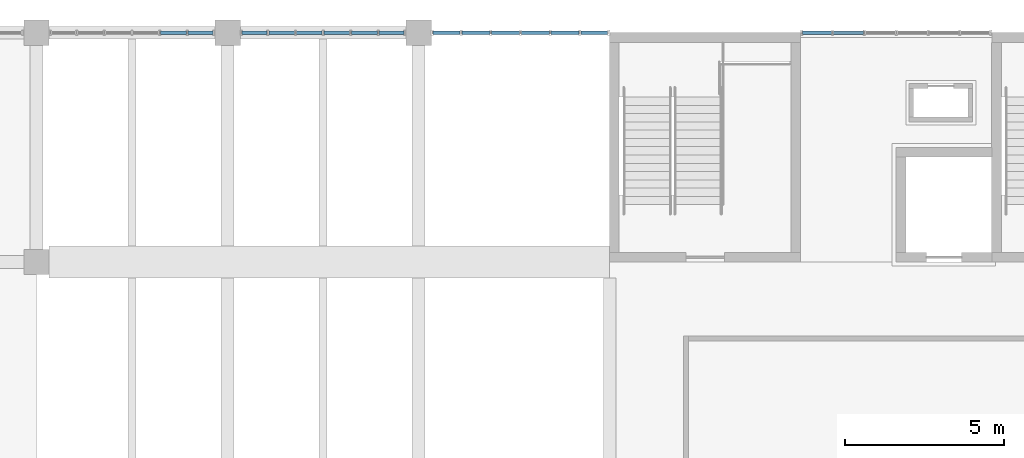
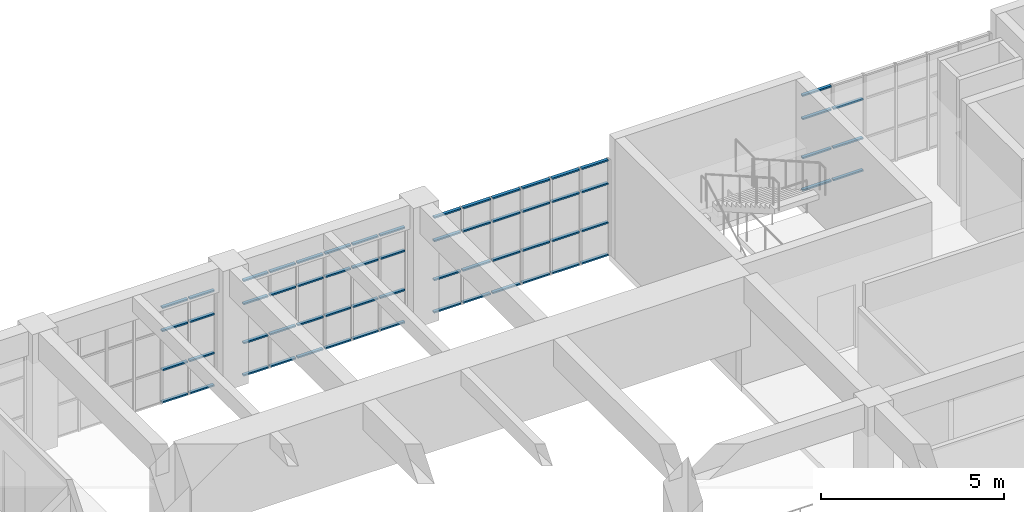
# One storey, part 24 of 47: 63 members, 4 elements without a shape of their own.
"""IFC4 building model written with IfcOpenShell, lengths in metres."""

from ifc_helpers import new_model, si_unit, direction, frame, origin, origin_2d, place, context, subcontext, project, spatial, hollow_rectangle, extrude, material, material_profile, profile_set, type_object, element, aggregate, save


model = new_model("IFC4")

# Units and contexts
model_context = context("Model", 3, precision=1e-05, world=origin(), true_north=direction((0.0, 1.0)))
body_context = subcontext(model_context, "Body", "Model", "MODEL_VIEW")
ifc_project = project(units=[si_unit("LENGTHUNIT", "METRE"), si_unit("AREAUNIT", "SQUARE_METRE"), si_unit("VOLUMEUNIT", "CUBIC_METRE"), si_unit("PLANEANGLEUNIT", "RADIAN"), si_unit("MASSUNIT", "GRAM", prefix="KILO")], contexts=[model_context])

# Site, building, storey
site_placement = place(None, origin())
site = spatial("IfcSite", under=ifc_project, at=site_placement, CompositionType="ELEMENT")
building_placement = place(site_placement, origin())
building = spatial("IfcBuilding", under=site, at=building_placement, Name="Laocheng Heights Fire and Rescue Headquarters", CompositionType="ELEMENT")
storey_placement = place(building_placement, frame((0.0, 0.0, 16.800048828125)))
storey = spatial("IfcBuildingStorey", under=building, at=storey_placement, Name="L04", CompositionType="ELEMENT", Elevation=16.800048828125)

# Curtain wall, members
ifc_material_1 = material(Name="Dark anodised aluminium unitised curtain wall, low-e double glazing", Category="aluminium")
curtain_wall_type_1 = type_object("IfcCurtainWallType", Name="CW 5200 x 3200 HQ CONTROL ROOM FACE", PredefinedType="NOTDEFINED", material=ifc_material_1)
curtain_wall_1_placement = place(storey_placement, origin())
curtain_wall_1 = element("IfcCurtainWall", 1, at=curtain_wall_1_placement, inside=storey, type_object=curtain_wall_type_1, Name="X24-X HQ NORTH L04", PredefinedType="NOTDEFINED")
ifc_material_2 = material(Name="Dark anodised aluminium 6063-T5 extrusion", Category="aluminium")
ifc_material_profile = material_profile(ifc_material_2, hollow_rectangle(XDim=0.10009765625, YDim=0.050048828125, WallThickness=0.0029296875, at=origin_2d()), Name="AL TRANSOM 100x50x3 HQ CONTROL ROOM FACE")
ifc_profile_set = profile_set([ifc_material_profile], Name="Dark anodised aluminium 6063-T5 extrusion")
member_type = type_object("IfcMemberType", Name="AL TRANSOM 100x50x3 HQ CONTROL ROOM FACE", PredefinedType="USERDEFINED", material=ifc_profile_set)
member_1_placement = place(storey_placement, frame((51.896728515625, 72.0, 0.02490234375), z_axis=(1.0, 0.0, 0.0), x_axis=(0.0, 1.0, 0.0)))
member_1 = element("IfcMember", 2, at=member_1_placement, type_object=member_type, Name="X24-X transom 5.1", ObjectType="TRANSOM", PredefinedType="USERDEFINED", context=body_context, shape_type="SweptSolid", body=[
    extrude(hollow_rectangle(XDim=0.10009765625, YDim=0.050048828125, WallThickness=0.0029296875, at=origin_2d()), origin(), (0.0, 0.0, 1.0), 0.806640625),
])
member_2_placement = place(storey_placement, frame((51.896728515625, 72.0, 1.099853515625), z_axis=(1.0, 0.0, 0.0), x_axis=(0.0, 1.0, 0.0)))
member_2 = element("IfcMember", 3, at=member_2_placement, type_object=member_type, Name="X24-X transom 5.2", ObjectType="TRANSOM", PredefinedType="USERDEFINED", context=body_context, shape_type="SweptSolid", body=[
    extrude(hollow_rectangle(XDim=0.10009765625, YDim=0.050048828125, WallThickness=0.0029296875, at=origin_2d()), origin(), (0.0, 0.0, 1.0), 0.806640625),
])
member_3_placement = place(storey_placement, frame((51.896728515625, 72.0, 2.39990234375), z_axis=(1.0, 0.0, 0.0), x_axis=(0.0, 1.0, 0.0)))
member_3 = element("IfcMember", 4, at=member_3_placement, type_object=member_type, Name="X24-X transom 5.3", ObjectType="TRANSOM", PredefinedType="USERDEFINED", context=body_context, shape_type="SweptSolid", body=[
    extrude(hollow_rectangle(XDim=0.10009765625, YDim=0.050048828125, WallThickness=0.0029296875, at=origin_2d()), origin(), (0.0, 0.0, 1.0), 0.806640625),
])
member_4_placement = place(storey_placement, frame((51.896728515625, 72.0, 3.175048828125), z_axis=(1.0, 0.0, 0.0), x_axis=(0.0, 1.0, 0.0)))
member_4 = element("IfcMember", 5, at=member_4_placement, type_object=member_type, Name="X24-X transom 5.4", ObjectType="TRANSOM", PredefinedType="USERDEFINED", context=body_context, shape_type="SweptSolid", body=[
    extrude(hollow_rectangle(XDim=0.10009765625, YDim=0.050048828125, WallThickness=0.0029296875, at=origin_2d()), origin(), (0.0, 0.0, 1.0), 0.806640625),
])
member_5_placement = place(storey_placement, frame((52.763427734375, 72.0, 0.02490234375), z_axis=(1.0, 0.0, 0.0), x_axis=(0.0, 1.0, 0.0)))
member_5 = element("IfcMember", 6, at=member_5_placement, type_object=member_type, Name="X24-X transom 6.1", ObjectType="TRANSOM", PredefinedType="USERDEFINED", context=body_context, shape_type="SweptSolid", body=[
    extrude(hollow_rectangle(XDim=0.10009765625, YDim=0.050048828125, WallThickness=0.0029296875, at=origin_2d()), origin(), (0.0, 0.0, 1.0), 0.776611328125),
])
member_6_placement = place(storey_placement, frame((52.763427734375, 72.0, 1.099853515625), z_axis=(1.0, 0.0, 0.0), x_axis=(0.0, 1.0, 0.0)))
member_6 = element("IfcMember", 7, at=member_6_placement, type_object=member_type, Name="X24-X transom 6.2", ObjectType="TRANSOM", PredefinedType="USERDEFINED", context=body_context, shape_type="SweptSolid", body=[
    extrude(hollow_rectangle(XDim=0.10009765625, YDim=0.050048828125, WallThickness=0.0029296875, at=origin_2d()), origin(), (0.0, 0.0, 1.0), 0.776611328125),
])
member_7_placement = place(storey_placement, frame((52.763427734375, 72.0, 2.39990234375), z_axis=(1.0, 0.0, 0.0), x_axis=(0.0, 1.0, 0.0)))
member_7 = element("IfcMember", 8, at=member_7_placement, type_object=member_type, Name="X24-X transom 6.3", ObjectType="TRANSOM", PredefinedType="USERDEFINED", context=body_context, shape_type="SweptSolid", body=[
    extrude(hollow_rectangle(XDim=0.10009765625, YDim=0.050048828125, WallThickness=0.0029296875, at=origin_2d()), origin(), (0.0, 0.0, 1.0), 0.776611328125),
])
member_8_placement = place(storey_placement, frame((52.763427734375, 72.0, 3.175048828125), z_axis=(1.0, 0.0, 0.0), x_axis=(0.0, 1.0, 0.0)))
member_8 = element("IfcMember", 9, at=member_8_placement, type_object=member_type, Name="X24-X transom 6.4", ObjectType="TRANSOM", PredefinedType="USERDEFINED", context=body_context, shape_type="SweptSolid", body=[
    extrude(hollow_rectangle(XDim=0.10009765625, YDim=0.050048828125, WallThickness=0.0029296875, at=origin_2d()), origin(), (0.0, 0.0, 1.0), 0.776611328125),
])
aggregate(curtain_wall_1, [member_1, member_2, member_3, member_4, member_5, member_6, member_7, member_8])

curtain_wall_2_placement = place(storey_placement, origin())
curtain_wall_2 = element("IfcCurtainWall", 10, at=curtain_wall_2_placement, inside=storey, type_object=curtain_wall_type_1, Name="X24-X HQ NORTH L04", PredefinedType="NOTDEFINED")
member_9_placement = place(storey_placement, frame((54.4599609375, 72.0, 0.02490234375), z_axis=(1.0, 0.0, 0.0), x_axis=(0.0, 1.0, 0.0)))
member_9 = element("IfcMember", 11, at=member_9_placement, type_object=member_type, Name="X24-X transom 1.1", ObjectType="TRANSOM", PredefinedType="USERDEFINED", context=body_context, shape_type="SweptSolid", body=[
    extrude(hollow_rectangle(XDim=0.10009765625, YDim=0.050048828125, WallThickness=0.0029296875, at=origin_2d()), origin(), (0.0, 0.0, 1.0), 0.776611328125),
])
member_10_placement = place(storey_placement, frame((54.4599609375, 72.0, 1.099853515625), z_axis=(1.0, 0.0, 0.0), x_axis=(0.0, 1.0, 0.0)))
member_10 = element("IfcMember", 12, at=member_10_placement, type_object=member_type, Name="X24-X transom 1.2", ObjectType="TRANSOM", PredefinedType="USERDEFINED", context=body_context, shape_type="SweptSolid", body=[
    extrude(hollow_rectangle(XDim=0.10009765625, YDim=0.050048828125, WallThickness=0.0029296875, at=origin_2d()), origin(), (0.0, 0.0, 1.0), 0.776611328125),
])
member_11_placement = place(storey_placement, frame((54.4599609375, 72.0, 2.39990234375), z_axis=(1.0, 0.0, 0.0), x_axis=(0.0, 1.0, 0.0)))
member_11 = element("IfcMember", 13, at=member_11_placement, type_object=member_type, Name="X24-X transom 1.3", ObjectType="TRANSOM", PredefinedType="USERDEFINED", context=body_context, shape_type="SweptSolid", body=[
    extrude(hollow_rectangle(XDim=0.10009765625, YDim=0.050048828125, WallThickness=0.0029296875, at=origin_2d()), origin(), (0.0, 0.0, 1.0), 0.776611328125),
])
member_12_placement = place(storey_placement, frame((54.4599609375, 72.0, 3.175048828125), z_axis=(1.0, 0.0, 0.0), x_axis=(0.0, 1.0, 0.0)))
member_12 = element("IfcMember", 14, at=member_12_placement, type_object=member_type, Name="X24-X transom 1.4", ObjectType="TRANSOM", PredefinedType="USERDEFINED", context=body_context, shape_type="SweptSolid", body=[
    extrude(hollow_rectangle(XDim=0.10009765625, YDim=0.050048828125, WallThickness=0.0029296875, at=origin_2d()), origin(), (0.0, 0.0, 1.0), 0.776611328125),
])
member_13_placement = place(storey_placement, frame((55.296630859375, 72.0, 0.02490234375), z_axis=(1.0, 0.0, 0.0), x_axis=(0.0, 1.0, 0.0)))
member_13 = element("IfcMember", 15, at=member_13_placement, type_object=member_type, Name="X24-X transom 2.1", ObjectType="TRANSOM", PredefinedType="USERDEFINED", context=body_context, shape_type="SweptSolid", body=[
    extrude(hollow_rectangle(XDim=0.10009765625, YDim=0.050048828125, WallThickness=0.0029296875, at=origin_2d()), origin(), (0.0, 0.0, 1.0), 0.806640625),
])
member_14_placement = place(storey_placement, frame((55.296630859375, 72.0, 1.099853515625), z_axis=(1.0, 0.0, 0.0), x_axis=(0.0, 1.0, 0.0)))
member_14 = element("IfcMember", 16, at=member_14_placement, type_object=member_type, Name="X24-X transom 2.2", ObjectType="TRANSOM", PredefinedType="USERDEFINED", context=body_context, shape_type="SweptSolid", body=[
    extrude(hollow_rectangle(XDim=0.10009765625, YDim=0.050048828125, WallThickness=0.0029296875, at=origin_2d()), origin(), (0.0, 0.0, 1.0), 0.806640625),
])
member_15_placement = place(storey_placement, frame((55.296630859375, 72.0, 2.39990234375), z_axis=(1.0, 0.0, 0.0), x_axis=(0.0, 1.0, 0.0)))
member_15 = element("IfcMember", 17, at=member_15_placement, type_object=member_type, Name="X24-X transom 2.3", ObjectType="TRANSOM", PredefinedType="USERDEFINED", context=body_context, shape_type="SweptSolid", body=[
    extrude(hollow_rectangle(XDim=0.10009765625, YDim=0.050048828125, WallThickness=0.0029296875, at=origin_2d()), origin(), (0.0, 0.0, 1.0), 0.806640625),
])
member_16_placement = place(storey_placement, frame((55.296630859375, 72.0, 3.175048828125), z_axis=(1.0, 0.0, 0.0), x_axis=(0.0, 1.0, 0.0)))
member_16 = element("IfcMember", 18, at=member_16_placement, type_object=member_type, Name="X24-X transom 2.4", ObjectType="TRANSOM", PredefinedType="USERDEFINED", context=body_context, shape_type="SweptSolid", body=[
    extrude(hollow_rectangle(XDim=0.10009765625, YDim=0.050048828125, WallThickness=0.0029296875, at=origin_2d()), origin(), (0.0, 0.0, 1.0), 0.806640625),
])
member_17_placement = place(storey_placement, frame((56.163330078125, 72.0, 0.02490234375), z_axis=(1.0, 0.0, 0.0), x_axis=(0.0, 1.0, 0.0)))
member_17 = element("IfcMember", 19, at=member_17_placement, type_object=member_type, Name="X24-X transom 3.1", ObjectType="TRANSOM", PredefinedType="USERDEFINED", context=body_context, shape_type="SweptSolid", body=[
    extrude(hollow_rectangle(XDim=0.10009765625, YDim=0.050048828125, WallThickness=0.0029296875, at=origin_2d()), origin(), (0.0, 0.0, 1.0), 0.806640625),
])
member_18_placement = place(storey_placement, frame((56.163330078125, 72.0, 1.099853515625), z_axis=(1.0, 0.0, 0.0), x_axis=(0.0, 1.0, 0.0)))
member_18 = element("IfcMember", 20, at=member_18_placement, type_object=member_type, Name="X24-X transom 3.2", ObjectType="TRANSOM", PredefinedType="USERDEFINED", context=body_context, shape_type="SweptSolid", body=[
    extrude(hollow_rectangle(XDim=0.10009765625, YDim=0.050048828125, WallThickness=0.0029296875, at=origin_2d()), origin(), (0.0, 0.0, 1.0), 0.806640625),
])
member_19_placement = place(storey_placement, frame((56.163330078125, 72.0, 2.39990234375), z_axis=(1.0, 0.0, 0.0), x_axis=(0.0, 1.0, 0.0)))
member_19 = element("IfcMember", 21, at=member_19_placement, type_object=member_type, Name="X24-X transom 3.3", ObjectType="TRANSOM", PredefinedType="USERDEFINED", context=body_context, shape_type="SweptSolid", body=[
    extrude(hollow_rectangle(XDim=0.10009765625, YDim=0.050048828125, WallThickness=0.0029296875, at=origin_2d()), origin(), (0.0, 0.0, 1.0), 0.806640625),
])
member_20_placement = place(storey_placement, frame((56.163330078125, 72.0, 3.175048828125), z_axis=(1.0, 0.0, 0.0), x_axis=(0.0, 1.0, 0.0)))
member_20 = element("IfcMember", 22, at=member_20_placement, type_object=member_type, Name="X24-X transom 3.4", ObjectType="TRANSOM", PredefinedType="USERDEFINED", context=body_context, shape_type="SweptSolid", body=[
    extrude(hollow_rectangle(XDim=0.10009765625, YDim=0.050048828125, WallThickness=0.0029296875, at=origin_2d()), origin(), (0.0, 0.0, 1.0), 0.806640625),
])
member_21_placement = place(storey_placement, frame((57.030029296875, 72.0, 0.02490234375), z_axis=(1.0, 0.0, 0.0), x_axis=(0.0, 1.0, 0.0)))
member_21 = element("IfcMember", 23, at=member_21_placement, type_object=member_type, Name="X24-X transom 4.1", ObjectType="TRANSOM", PredefinedType="USERDEFINED", context=body_context, shape_type="SweptSolid", body=[
    extrude(hollow_rectangle(XDim=0.10009765625, YDim=0.050048828125, WallThickness=0.0029296875, at=origin_2d()), origin(), (0.0, 0.0, 1.0), 0.806640625),
])
member_22_placement = place(storey_placement, frame((57.030029296875, 72.0, 1.099853515625), z_axis=(1.0, 0.0, 0.0), x_axis=(0.0, 1.0, 0.0)))
member_22 = element("IfcMember", 24, at=member_22_placement, type_object=member_type, Name="X24-X transom 4.2", ObjectType="TRANSOM", PredefinedType="USERDEFINED", context=body_context, shape_type="SweptSolid", body=[
    extrude(hollow_rectangle(XDim=0.10009765625, YDim=0.050048828125, WallThickness=0.0029296875, at=origin_2d()), origin(), (0.0, 0.0, 1.0), 0.806640625),
])
member_23_placement = place(storey_placement, frame((57.030029296875, 72.0, 2.39990234375), z_axis=(1.0, 0.0, 0.0), x_axis=(0.0, 1.0, 0.0)))
member_23 = element("IfcMember", 25, at=member_23_placement, type_object=member_type, Name="X24-X transom 4.3", ObjectType="TRANSOM", PredefinedType="USERDEFINED", context=body_context, shape_type="SweptSolid", body=[
    extrude(hollow_rectangle(XDim=0.10009765625, YDim=0.050048828125, WallThickness=0.0029296875, at=origin_2d()), origin(), (0.0, 0.0, 1.0), 0.806640625),
])
member_24_placement = place(storey_placement, frame((57.030029296875, 72.0, 3.175048828125), z_axis=(1.0, 0.0, 0.0), x_axis=(0.0, 1.0, 0.0)))
member_24 = element("IfcMember", 26, at=member_24_placement, type_object=member_type, Name="X24-X transom 4.4", ObjectType="TRANSOM", PredefinedType="USERDEFINED", context=body_context, shape_type="SweptSolid", body=[
    extrude(hollow_rectangle(XDim=0.10009765625, YDim=0.050048828125, WallThickness=0.0029296875, at=origin_2d()), origin(), (0.0, 0.0, 1.0), 0.806640625),
])
member_25_placement = place(storey_placement, frame((57.896728515625, 72.0, 0.02490234375), z_axis=(1.0, 0.0, 0.0), x_axis=(0.0, 1.0, 0.0)))
member_25 = element("IfcMember", 27, at=member_25_placement, type_object=member_type, Name="X24-X transom 5.1", ObjectType="TRANSOM", PredefinedType="USERDEFINED", context=body_context, shape_type="SweptSolid", body=[
    extrude(hollow_rectangle(XDim=0.10009765625, YDim=0.050048828125, WallThickness=0.0029296875, at=origin_2d()), origin(), (0.0, 0.0, 1.0), 0.806640625),
])
member_26_placement = place(storey_placement, frame((57.896728515625, 72.0, 1.099853515625), z_axis=(1.0, 0.0, 0.0), x_axis=(0.0, 1.0, 0.0)))
member_26 = element("IfcMember", 28, at=member_26_placement, type_object=member_type, Name="X24-X transom 5.2", ObjectType="TRANSOM", PredefinedType="USERDEFINED", context=body_context, shape_type="SweptSolid", body=[
    extrude(hollow_rectangle(XDim=0.10009765625, YDim=0.050048828125, WallThickness=0.0029296875, at=origin_2d()), origin(), (0.0, 0.0, 1.0), 0.806640625),
])
member_27_placement = place(storey_placement, frame((57.896728515625, 72.0, 2.39990234375), z_axis=(1.0, 0.0, 0.0), x_axis=(0.0, 1.0, 0.0)))
member_27 = element("IfcMember", 29, at=member_27_placement, type_object=member_type, Name="X24-X transom 5.3", ObjectType="TRANSOM", PredefinedType="USERDEFINED", context=body_context, shape_type="SweptSolid", body=[
    extrude(hollow_rectangle(XDim=0.10009765625, YDim=0.050048828125, WallThickness=0.0029296875, at=origin_2d()), origin(), (0.0, 0.0, 1.0), 0.806640625),
])
member_28_placement = place(storey_placement, frame((57.896728515625, 72.0, 3.175048828125), z_axis=(1.0, 0.0, 0.0), x_axis=(0.0, 1.0, 0.0)))
member_28 = element("IfcMember", 30, at=member_28_placement, type_object=member_type, Name="X24-X transom 5.4", ObjectType="TRANSOM", PredefinedType="USERDEFINED", context=body_context, shape_type="SweptSolid", body=[
    extrude(hollow_rectangle(XDim=0.10009765625, YDim=0.050048828125, WallThickness=0.0029296875, at=origin_2d()), origin(), (0.0, 0.0, 1.0), 0.806640625),
])
member_29_placement = place(storey_placement, frame((58.763427734375, 72.0, 0.02490234375), z_axis=(1.0, 0.0, 0.0), x_axis=(0.0, 1.0, 0.0)))
member_29 = element("IfcMember", 31, at=member_29_placement, type_object=member_type, Name="X24-X transom 6.1", ObjectType="TRANSOM", PredefinedType="USERDEFINED", context=body_context, shape_type="SweptSolid", body=[
    extrude(hollow_rectangle(XDim=0.10009765625, YDim=0.050048828125, WallThickness=0.0029296875, at=origin_2d()), origin(), (0.0, 0.0, 1.0), 0.776611328125),
])
member_30_placement = place(storey_placement, frame((58.763427734375, 72.0, 1.099853515625), z_axis=(1.0, 0.0, 0.0), x_axis=(0.0, 1.0, 0.0)))
member_30 = element("IfcMember", 32, at=member_30_placement, type_object=member_type, Name="X24-X transom 6.2", ObjectType="TRANSOM", PredefinedType="USERDEFINED", context=body_context, shape_type="SweptSolid", body=[
    extrude(hollow_rectangle(XDim=0.10009765625, YDim=0.050048828125, WallThickness=0.0029296875, at=origin_2d()), origin(), (0.0, 0.0, 1.0), 0.776611328125),
])
member_31_placement = place(storey_placement, frame((58.763427734375, 72.0, 2.39990234375), z_axis=(1.0, 0.0, 0.0), x_axis=(0.0, 1.0, 0.0)))
member_31 = element("IfcMember", 33, at=member_31_placement, type_object=member_type, Name="X24-X transom 6.3", ObjectType="TRANSOM", PredefinedType="USERDEFINED", context=body_context, shape_type="SweptSolid", body=[
    extrude(hollow_rectangle(XDim=0.10009765625, YDim=0.050048828125, WallThickness=0.0029296875, at=origin_2d()), origin(), (0.0, 0.0, 1.0), 0.776611328125),
])
member_32_placement = place(storey_placement, frame((58.763427734375, 72.0, 3.175048828125), z_axis=(1.0, 0.0, 0.0), x_axis=(0.0, 1.0, 0.0)))
member_32 = element("IfcMember", 34, at=member_32_placement, type_object=member_type, Name="X24-X transom 6.4", ObjectType="TRANSOM", PredefinedType="USERDEFINED", context=body_context, shape_type="SweptSolid", body=[
    extrude(hollow_rectangle(XDim=0.10009765625, YDim=0.050048828125, WallThickness=0.0029296875, at=origin_2d()), origin(), (0.0, 0.0, 1.0), 0.776611328125),
])
aggregate(curtain_wall_2, [member_9, member_10, member_11, member_12, member_13, member_14, member_15, member_16, member_17, member_18, member_19, member_20, member_21, member_22, member_23, member_24, member_25, member_26, member_27, member_28, member_29, member_30, member_31, member_32])

ifc_material_3 = material(Name="Dark anodised aluminium unitised curtain wall, low-e double glazing", Category="aluminium")
curtain_wall_type_2 = type_object("IfcCurtainWallType", Name="CW 5600 x 3200 HQ CONTROL ROOM FACE", PredefinedType="NOTDEFINED", material=ifc_material_3)
curtain_wall_3_placement = place(storey_placement, origin())
curtain_wall_3 = element("IfcCurtainWall", 35, at=curtain_wall_3_placement, inside=storey, type_object=curtain_wall_type_2, Name="X25-X HQ NORTH L04", PredefinedType="NOTDEFINED")
member_33_placement = place(storey_placement, frame((60.4599609375, 72.0, 0.02490234375), z_axis=(1.0, 0.0, 0.0), x_axis=(0.0, 1.0, 0.0)))
member_33 = element("IfcMember", 36, at=member_33_placement, type_object=member_type, Name="X25-X transom 1.1", ObjectType="TRANSOM", PredefinedType="USERDEFINED", context=body_context, shape_type="SweptSolid", body=[
    extrude(hollow_rectangle(XDim=0.10009765625, YDim=0.050048828125, WallThickness=0.0029296875, at=origin_2d()), origin(), (0.0, 0.0, 1.0), 0.84326171875),
])
member_34_placement = place(storey_placement, frame((60.4599609375, 72.0, 1.099853515625), z_axis=(1.0, 0.0, 0.0), x_axis=(0.0, 1.0, 0.0)))
member_34 = element("IfcMember", 37, at=member_34_placement, type_object=member_type, Name="X25-X transom 1.2", ObjectType="TRANSOM", PredefinedType="USERDEFINED", context=body_context, shape_type="SweptSolid", body=[
    extrude(hollow_rectangle(XDim=0.10009765625, YDim=0.050048828125, WallThickness=0.0029296875, at=origin_2d()), origin(), (0.0, 0.0, 1.0), 0.84326171875),
])
member_35_placement = place(storey_placement, frame((60.4599609375, 72.0, 2.39990234375), z_axis=(1.0, 0.0, 0.0), x_axis=(0.0, 1.0, 0.0)))
member_35 = element("IfcMember", 38, at=member_35_placement, type_object=member_type, Name="X25-X transom 1.3", ObjectType="TRANSOM", PredefinedType="USERDEFINED", context=body_context, shape_type="SweptSolid", body=[
    extrude(hollow_rectangle(XDim=0.10009765625, YDim=0.050048828125, WallThickness=0.0029296875, at=origin_2d()), origin(), (0.0, 0.0, 1.0), 0.84326171875),
])
member_36_placement = place(storey_placement, frame((60.4599609375, 72.0, 3.175048828125), z_axis=(1.0, 0.0, 0.0), x_axis=(0.0, 1.0, 0.0)))
member_36 = element("IfcMember", 39, at=member_36_placement, type_object=member_type, Name="X25-X transom 1.4", ObjectType="TRANSOM", PredefinedType="USERDEFINED", context=body_context, shape_type="SweptSolid", body=[
    extrude(hollow_rectangle(XDim=0.10009765625, YDim=0.050048828125, WallThickness=0.0029296875, at=origin_2d()), origin(), (0.0, 0.0, 1.0), 0.84326171875),
])
member_37_placement = place(storey_placement, frame((61.36328125, 72.0, 0.02490234375), z_axis=(1.0, 0.0, 0.0), x_axis=(0.0, 1.0, 0.0)))
member_37 = element("IfcMember", 40, at=member_37_placement, type_object=member_type, Name="X25-X transom 2.1", ObjectType="TRANSOM", PredefinedType="USERDEFINED", context=body_context, shape_type="SweptSolid", body=[
    extrude(hollow_rectangle(XDim=0.10009765625, YDim=0.050048828125, WallThickness=0.0029296875, at=origin_2d()), origin(), (0.0, 0.0, 1.0), 0.873291015625),
])
member_38_placement = place(storey_placement, frame((61.36328125, 72.0, 1.099853515625), z_axis=(1.0, 0.0, 0.0), x_axis=(0.0, 1.0, 0.0)))
member_38 = element("IfcMember", 41, at=member_38_placement, type_object=member_type, Name="X25-X transom 2.2", ObjectType="TRANSOM", PredefinedType="USERDEFINED", context=body_context, shape_type="SweptSolid", body=[
    extrude(hollow_rectangle(XDim=0.10009765625, YDim=0.050048828125, WallThickness=0.0029296875, at=origin_2d()), origin(), (0.0, 0.0, 1.0), 0.873291015625),
])
member_39_placement = place(storey_placement, frame((61.36328125, 72.0, 2.39990234375), z_axis=(1.0, 0.0, 0.0), x_axis=(0.0, 1.0, 0.0)))
member_39 = element("IfcMember", 42, at=member_39_placement, type_object=member_type, Name="X25-X transom 2.3", ObjectType="TRANSOM", PredefinedType="USERDEFINED", context=body_context, shape_type="SweptSolid", body=[
    extrude(hollow_rectangle(XDim=0.10009765625, YDim=0.050048828125, WallThickness=0.0029296875, at=origin_2d()), origin(), (0.0, 0.0, 1.0), 0.873291015625),
])
member_40_placement = place(storey_placement, frame((61.36328125, 72.0, 3.175048828125), z_axis=(1.0, 0.0, 0.0), x_axis=(0.0, 1.0, 0.0)))
member_40 = element("IfcMember", 43, at=member_40_placement, type_object=member_type, Name="X25-X transom 2.4", ObjectType="TRANSOM", PredefinedType="USERDEFINED", context=body_context, shape_type="SweptSolid", body=[
    extrude(hollow_rectangle(XDim=0.10009765625, YDim=0.050048828125, WallThickness=0.0029296875, at=origin_2d()), origin(), (0.0, 0.0, 1.0), 0.873291015625),
])
member_41_placement = place(storey_placement, frame((62.296630859375, 72.0, 0.02490234375), z_axis=(1.0, 0.0, 0.0), x_axis=(0.0, 1.0, 0.0)))
member_41 = element("IfcMember", 44, at=member_41_placement, type_object=member_type, Name="X25-X transom 3.1", ObjectType="TRANSOM", PredefinedType="USERDEFINED", context=body_context, shape_type="SweptSolid", body=[
    extrude(hollow_rectangle(XDim=0.10009765625, YDim=0.050048828125, WallThickness=0.0029296875, at=origin_2d()), origin(), (0.0, 0.0, 1.0), 0.873291015625),
])
member_42_placement = place(storey_placement, frame((62.296630859375, 72.0, 1.099853515625), z_axis=(1.0, 0.0, 0.0), x_axis=(0.0, 1.0, 0.0)))
member_42 = element("IfcMember", 45, at=member_42_placement, type_object=member_type, Name="X25-X transom 3.2", ObjectType="TRANSOM", PredefinedType="USERDEFINED", context=body_context, shape_type="SweptSolid", body=[
    extrude(hollow_rectangle(XDim=0.10009765625, YDim=0.050048828125, WallThickness=0.0029296875, at=origin_2d()), origin(), (0.0, 0.0, 1.0), 0.873291015625),
])
member_43_placement = place(storey_placement, frame((62.296630859375, 72.0, 2.39990234375), z_axis=(1.0, 0.0, 0.0), x_axis=(0.0, 1.0, 0.0)))
member_43 = element("IfcMember", 46, at=member_43_placement, type_object=member_type, Name="X25-X transom 3.3", ObjectType="TRANSOM", PredefinedType="USERDEFINED", context=body_context, shape_type="SweptSolid", body=[
    extrude(hollow_rectangle(XDim=0.10009765625, YDim=0.050048828125, WallThickness=0.0029296875, at=origin_2d()), origin(), (0.0, 0.0, 1.0), 0.873291015625),
])
member_44_placement = place(storey_placement, frame((62.296630859375, 72.0, 3.175048828125), z_axis=(1.0, 0.0, 0.0), x_axis=(0.0, 1.0, 0.0)))
member_44 = element("IfcMember", 47, at=member_44_placement, type_object=member_type, Name="X25-X transom 3.4", ObjectType="TRANSOM", PredefinedType="USERDEFINED", context=body_context, shape_type="SweptSolid", body=[
    extrude(hollow_rectangle(XDim=0.10009765625, YDim=0.050048828125, WallThickness=0.0029296875, at=origin_2d()), origin(), (0.0, 0.0, 1.0), 0.873291015625),
])
member_45_placement = place(storey_placement, frame((63.22998046875, 72.0, 0.02490234375), z_axis=(1.0, 0.0, 0.0), x_axis=(0.0, 1.0, 0.0)))
member_45 = element("IfcMember", 48, at=member_45_placement, type_object=member_type, Name="X25-X transom 4.1", ObjectType="TRANSOM", PredefinedType="USERDEFINED", context=body_context, shape_type="SweptSolid", body=[
    extrude(hollow_rectangle(XDim=0.10009765625, YDim=0.050048828125, WallThickness=0.0029296875, at=origin_2d()), origin(), (0.0, 0.0, 1.0), 0.873291015625),
])
member_46_placement = place(storey_placement, frame((63.22998046875, 72.0, 1.099853515625), z_axis=(1.0, 0.0, 0.0), x_axis=(0.0, 1.0, 0.0)))
member_46 = element("IfcMember", 49, at=member_46_placement, type_object=member_type, Name="X25-X transom 4.2", ObjectType="TRANSOM", PredefinedType="USERDEFINED", context=body_context, shape_type="SweptSolid", body=[
    extrude(hollow_rectangle(XDim=0.10009765625, YDim=0.050048828125, WallThickness=0.0029296875, at=origin_2d()), origin(), (0.0, 0.0, 1.0), 0.873291015625),
])
member_47_placement = place(storey_placement, frame((63.22998046875, 72.0, 2.39990234375), z_axis=(1.0, 0.0, 0.0), x_axis=(0.0, 1.0, 0.0)))
member_47 = element("IfcMember", 50, at=member_47_placement, type_object=member_type, Name="X25-X transom 4.3", ObjectType="TRANSOM", PredefinedType="USERDEFINED", context=body_context, shape_type="SweptSolid", body=[
    extrude(hollow_rectangle(XDim=0.10009765625, YDim=0.050048828125, WallThickness=0.0029296875, at=origin_2d()), origin(), (0.0, 0.0, 1.0), 0.873291015625),
])
member_48_placement = place(storey_placement, frame((63.22998046875, 72.0, 3.175048828125), z_axis=(1.0, 0.0, 0.0), x_axis=(0.0, 1.0, 0.0)))
member_48 = element("IfcMember", 51, at=member_48_placement, type_object=member_type, Name="X25-X transom 4.4", ObjectType="TRANSOM", PredefinedType="USERDEFINED", context=body_context, shape_type="SweptSolid", body=[
    extrude(hollow_rectangle(XDim=0.10009765625, YDim=0.050048828125, WallThickness=0.0029296875, at=origin_2d()), origin(), (0.0, 0.0, 1.0), 0.873291015625),
])
member_49_placement = place(storey_placement, frame((64.163330078125, 72.0, 0.02490234375), z_axis=(1.0, 0.0, 0.0), x_axis=(0.0, 1.0, 0.0)))
member_49 = element("IfcMember", 52, at=member_49_placement, type_object=member_type, Name="X25-X transom 5.1", ObjectType="TRANSOM", PredefinedType="USERDEFINED", context=body_context, shape_type="SweptSolid", body=[
    extrude(hollow_rectangle(XDim=0.10009765625, YDim=0.050048828125, WallThickness=0.0029296875, at=origin_2d()), origin(), (0.0, 0.0, 1.0), 0.873291015625),
])
member_50_placement = place(storey_placement, frame((64.163330078125, 72.0, 1.099853515625), z_axis=(1.0, 0.0, 0.0), x_axis=(0.0, 1.0, 0.0)))
member_50 = element("IfcMember", 53, at=member_50_placement, type_object=member_type, Name="X25-X transom 5.2", ObjectType="TRANSOM", PredefinedType="USERDEFINED", context=body_context, shape_type="SweptSolid", body=[
    extrude(hollow_rectangle(XDim=0.10009765625, YDim=0.050048828125, WallThickness=0.0029296875, at=origin_2d()), origin(), (0.0, 0.0, 1.0), 0.873291015625),
])
member_51_placement = place(storey_placement, frame((64.163330078125, 72.0, 2.39990234375), z_axis=(1.0, 0.0, 0.0), x_axis=(0.0, 1.0, 0.0)))
member_51 = element("IfcMember", 54, at=member_51_placement, type_object=member_type, Name="X25-X transom 5.3", ObjectType="TRANSOM", PredefinedType="USERDEFINED", context=body_context, shape_type="SweptSolid", body=[
    extrude(hollow_rectangle(XDim=0.10009765625, YDim=0.050048828125, WallThickness=0.0029296875, at=origin_2d()), origin(), (0.0, 0.0, 1.0), 0.873291015625),
])
member_52_placement = place(storey_placement, frame((64.163330078125, 72.0, 3.175048828125), z_axis=(1.0, 0.0, 0.0), x_axis=(0.0, 1.0, 0.0)))
member_52 = element("IfcMember", 55, at=member_52_placement, type_object=member_type, Name="X25-X transom 5.4", ObjectType="TRANSOM", PredefinedType="USERDEFINED", context=body_context, shape_type="SweptSolid", body=[
    extrude(hollow_rectangle(XDim=0.10009765625, YDim=0.050048828125, WallThickness=0.0029296875, at=origin_2d()), origin(), (0.0, 0.0, 1.0), 0.873291015625),
])
member_53_placement = place(storey_placement, frame((65.0966796875, 72.0, 0.02490234375), z_axis=(1.0, 0.0, 0.0), x_axis=(0.0, 1.0, 0.0)))
member_53 = element("IfcMember", 56, at=member_53_placement, type_object=member_type, Name="X25-X transom 6.1", ObjectType="TRANSOM", PredefinedType="USERDEFINED", context=body_context, shape_type="SweptSolid", body=[
    extrude(hollow_rectangle(XDim=0.10009765625, YDim=0.050048828125, WallThickness=0.0029296875, at=origin_2d()), origin(), (0.0, 0.0, 1.0), 0.84326171875),
])
member_54_placement = place(storey_placement, frame((65.0966796875, 72.0, 1.099853515625), z_axis=(1.0, 0.0, 0.0), x_axis=(0.0, 1.0, 0.0)))
member_54 = element("IfcMember", 57, at=member_54_placement, type_object=member_type, Name="X25-X transom 6.2", ObjectType="TRANSOM", PredefinedType="USERDEFINED", context=body_context, shape_type="SweptSolid", body=[
    extrude(hollow_rectangle(XDim=0.10009765625, YDim=0.050048828125, WallThickness=0.0029296875, at=origin_2d()), origin(), (0.0, 0.0, 1.0), 0.84326171875),
])
member_55_placement = place(storey_placement, frame((65.0966796875, 72.0, 2.39990234375), z_axis=(1.0, 0.0, 0.0), x_axis=(0.0, 1.0, 0.0)))
member_55 = element("IfcMember", 58, at=member_55_placement, type_object=member_type, Name="X25-X transom 6.3", ObjectType="TRANSOM", PredefinedType="USERDEFINED", context=body_context, shape_type="SweptSolid", body=[
    extrude(hollow_rectangle(XDim=0.10009765625, YDim=0.050048828125, WallThickness=0.0029296875, at=origin_2d()), origin(), (0.0, 0.0, 1.0), 0.84326171875),
])
member_56_placement = place(storey_placement, frame((65.0966796875, 72.0, 3.175048828125), z_axis=(1.0, 0.0, 0.0), x_axis=(0.0, 1.0, 0.0)))
member_56 = element("IfcMember", 59, at=member_56_placement, type_object=member_type, Name="X25-X transom 6.4", ObjectType="TRANSOM", PredefinedType="USERDEFINED", context=body_context, shape_type="SweptSolid", body=[
    extrude(hollow_rectangle(XDim=0.10009765625, YDim=0.050048828125, WallThickness=0.0029296875, at=origin_2d()), origin(), (0.0, 0.0, 1.0), 0.84326171875),
])
aggregate(curtain_wall_3, [member_33, member_34, member_35, member_36, member_37, member_38, member_39, member_40, member_41, member_42, member_43, member_44, member_45, member_46, member_47, member_48, member_49, member_50, member_51, member_52, member_53, member_54, member_55, member_56])

ifc_material_4 = material(Name="Dark anodised aluminium unitised curtain wall, low-e double glazing", Category="aluminium")
curtain_wall_type_3 = type_object("IfcCurtainWallType", Name="CW 6000 x 3200 HQ CONTROL ROOM FACE", PredefinedType="NOTDEFINED", material=ifc_material_4)
curtain_wall_4_placement = place(storey_placement, origin())
curtain_wall_4 = element("IfcCurtainWall", 60, at=curtain_wall_4_placement, inside=storey, type_object=curtain_wall_type_3, Name="X23-X HQ NORTH L04", PredefinedType="NOTDEFINED")
member_57_placement = place(storey_placement, frame((72.06005859375, 72.0, 0.02490234375), z_axis=(1.0, 0.0, 0.0), x_axis=(0.0, 1.0, 0.0)))
member_57 = element("IfcMember", 61, at=member_57_placement, type_object=member_type, Name="X23-X transom 1.1", ObjectType="TRANSOM", PredefinedType="USERDEFINED", context=body_context, shape_type="SweptSolid", body=[
    extrude(hollow_rectangle(XDim=0.10009765625, YDim=0.050048828125, WallThickness=0.0029296875, at=origin_2d()), origin(), (0.0, 0.0, 1.0), 0.909912109375),
])
member_58_placement = place(storey_placement, frame((72.06005859375, 72.0, 1.099853515625), z_axis=(1.0, 0.0, 0.0), x_axis=(0.0, 1.0, 0.0)))
member_58 = element("IfcMember", 62, at=member_58_placement, type_object=member_type, Name="X23-X transom 1.2", ObjectType="TRANSOM", PredefinedType="USERDEFINED", context=body_context, shape_type="SweptSolid", body=[
    extrude(hollow_rectangle(XDim=0.10009765625, YDim=0.050048828125, WallThickness=0.0029296875, at=origin_2d()), origin(), (0.0, 0.0, 1.0), 0.909912109375),
])
member_59_placement = place(storey_placement, frame((72.06005859375, 72.0, 2.39990234375), z_axis=(1.0, 0.0, 0.0), x_axis=(0.0, 1.0, 0.0)))
member_59 = element("IfcMember", 63, at=member_59_placement, type_object=member_type, Name="X23-X transom 1.3", ObjectType="TRANSOM", PredefinedType="USERDEFINED", context=body_context, shape_type="SweptSolid", body=[
    extrude(hollow_rectangle(XDim=0.10009765625, YDim=0.050048828125, WallThickness=0.0029296875, at=origin_2d()), origin(), (0.0, 0.0, 1.0), 0.909912109375),
])
member_60_placement = place(storey_placement, frame((72.06005859375, 72.0, 3.175048828125), z_axis=(1.0, 0.0, 0.0), x_axis=(0.0, 1.0, 0.0)))
member_60 = element("IfcMember", 64, at=member_60_placement, type_object=member_type, Name="X23-X transom 1.4", ObjectType="TRANSOM", PredefinedType="USERDEFINED", context=body_context, shape_type="SweptSolid", body=[
    extrude(hollow_rectangle(XDim=0.10009765625, YDim=0.050048828125, WallThickness=0.0029296875, at=origin_2d()), origin(), (0.0, 0.0, 1.0), 0.909912109375),
])
member_61_placement = place(storey_placement, frame((73.030029296875, 72.0, 0.02490234375), z_axis=(1.0, 0.0, 0.0), x_axis=(0.0, 1.0, 0.0)))
member_61 = element("IfcMember", 65, at=member_61_placement, type_object=member_type, Name="X23-X transom 2.1", ObjectType="TRANSOM", PredefinedType="USERDEFINED", context=body_context, shape_type="SweptSolid", body=[
    extrude(hollow_rectangle(XDim=0.10009765625, YDim=0.050048828125, WallThickness=0.0029296875, at=origin_2d()), origin(), (0.0, 0.0, 1.0), 0.93994140625),
])
member_62_placement = place(storey_placement, frame((73.030029296875, 72.0, 1.099853515625), z_axis=(1.0, 0.0, 0.0), x_axis=(0.0, 1.0, 0.0)))
member_62 = element("IfcMember", 66, at=member_62_placement, type_object=member_type, Name="X23-X transom 2.2", ObjectType="TRANSOM", PredefinedType="USERDEFINED", context=body_context, shape_type="SweptSolid", body=[
    extrude(hollow_rectangle(XDim=0.10009765625, YDim=0.050048828125, WallThickness=0.0029296875, at=origin_2d()), origin(), (0.0, 0.0, 1.0), 0.93994140625),
])
member_63_placement = place(storey_placement, frame((73.030029296875, 72.0, 2.39990234375), z_axis=(1.0, 0.0, 0.0), x_axis=(0.0, 1.0, 0.0)))
member_63 = element("IfcMember", 67, at=member_63_placement, type_object=member_type, Name="X23-X transom 2.3", ObjectType="TRANSOM", PredefinedType="USERDEFINED", context=body_context, shape_type="SweptSolid", body=[
    extrude(hollow_rectangle(XDim=0.10009765625, YDim=0.050048828125, WallThickness=0.0029296875, at=origin_2d()), origin(), (0.0, 0.0, 1.0), 0.93994140625),
])
aggregate(curtain_wall_4, [member_57, member_58, member_59, member_60, member_61, member_62, member_63])

save(model, "model.ifc")
